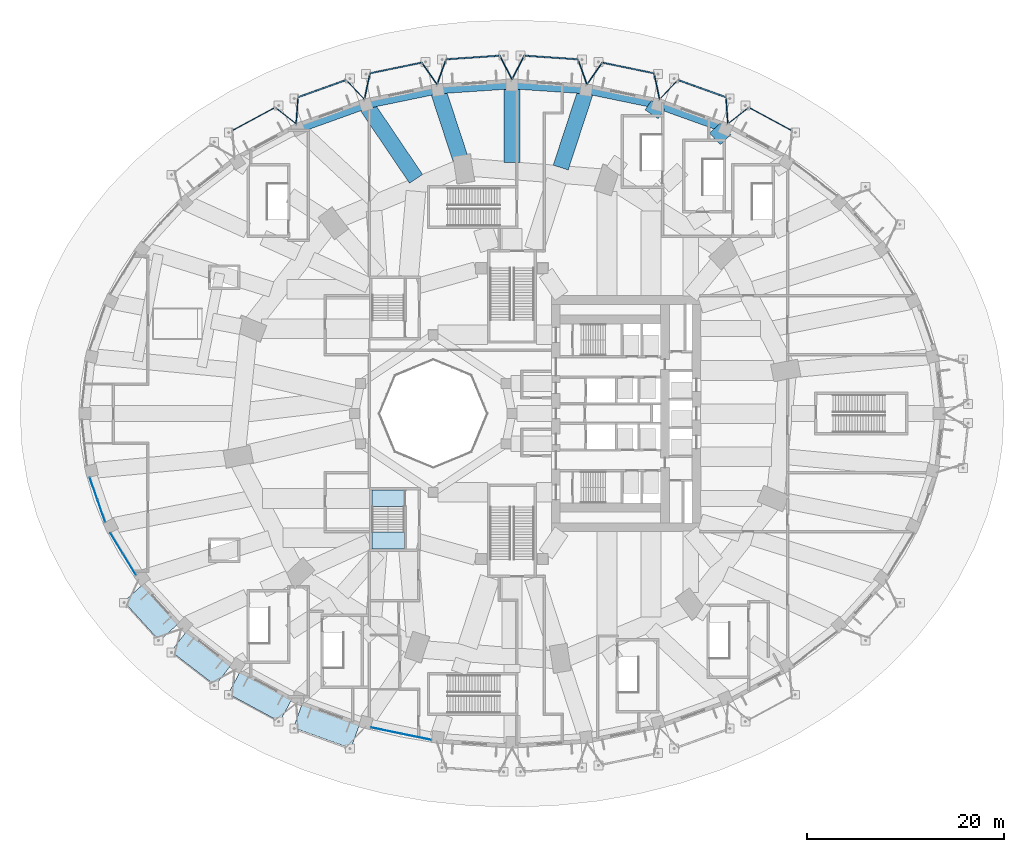
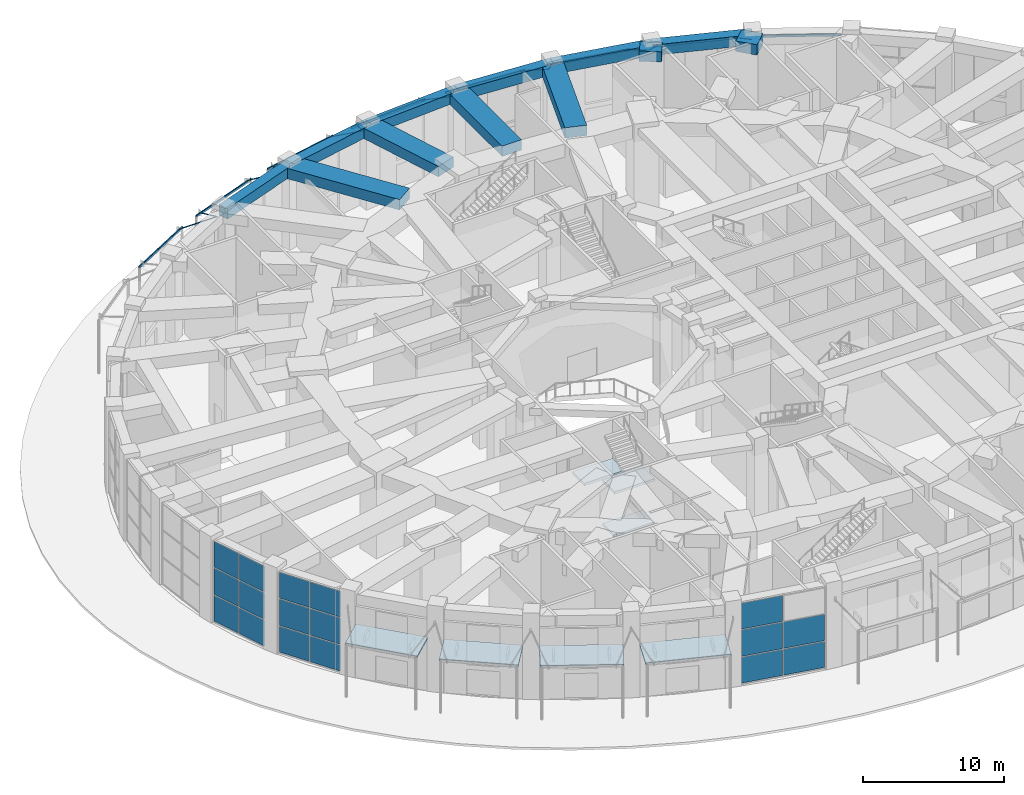
# One storey, part 30 of 60: 20 beams, 17 plates, 14 members, 7 slabs, 4 elements without a shape of their own.
"""IFC4 building model written with IfcOpenShell, lengths in metres."""

from ifc_helpers import new_model, si_unit, direction, frame, origin, origin_2d, place, context, subcontext, project, spatial, polyline, rectangle, hollow_rectangle, hollow_circle, outline, extrude, material, layer, layer_set, constituent, constituent_set, material_profile, profile_set, type_object, element, aggregate, save


model = new_model("IFC4")

# Units and contexts
model_context = context("Model", 3, precision=1e-05, world=origin(), true_north=direction((0.0, 1.0)))
body_context = subcontext(model_context, "Body", "Model", "MODEL_VIEW")
ifc_project = project(units=[si_unit("LENGTHUNIT", "METRE"), si_unit("AREAUNIT", "SQUARE_METRE"), si_unit("VOLUMEUNIT", "CUBIC_METRE"), si_unit("PLANEANGLEUNIT", "RADIAN"), si_unit("MASSUNIT", "GRAM", prefix="KILO")], contexts=[model_context])

# Site, building, storey
site_placement = place(None, origin())
site = spatial("IfcSite", under=ifc_project, at=site_placement, CompositionType="ELEMENT")
building_placement = place(site_placement, origin())
building = spatial("IfcBuilding", under=site, at=building_placement, Name="Taillehof Tower", CompositionType="ELEMENT")
storey_placement = place(building_placement, origin())
storey = spatial("IfcBuildingStorey", under=building, at=storey_placement, Name="L00", CompositionType="ELEMENT", Elevation=0.0)

# Beams
ifc_material_1 = material(Name="Steel S460M", Category="steel")
ifc_material_profile_1 = material_profile(ifc_material_1, hollow_rectangle(XDim=0.10009765625, YDim=0.199951171875, WallThickness=0.008056640625, InnerFilletRadius=0.008056640625, OuterFilletRadius=0.011962890625, at=origin_2d()), Name="RHS 200x100x8")
ifc_profile_set_1 = profile_set([ifc_material_profile_1], Name="Steel S460M")
beam_type_1 = type_object("IfcBeamType", Name="Canopy edge beam RHS 200x100x8", PredefinedType="BEAM", material=ifc_profile_set_1)
beam_1_placement = place(storey_placement, frame((28.798095703125, 28.56396484375, 4.550048828125), z_axis=(-0.880314208322, 0.474391077727, 0.0), x_axis=(-0.474391077727, -0.880314208322, 0.0)))
element("IfcBeam", 1, at=beam_1_placement, inside=storey, type_object=beam_type_1, Name="Canopy edge beam E9", PredefinedType="BEAM", context=body_context, shape_type="SweptSolid", body=[
    extrude(hollow_rectangle(XDim=0.10009765625, YDim=0.199951171875, WallThickness=0.008056640625, InnerFilletRadius=0.008056640625, OuterFilletRadius=0.011962890625, at=origin_2d()), origin(), (0.0, 0.0, 1.0), 5.7978515625),
])
beam_2_placement = place(storey_placement, frame((22.14501953125, 32.00537109375, 4.550048828125), z_axis=(-0.941224990618, 0.33778027923, 0.0), x_axis=(-0.33778027923, -0.941224990618, 0.0)))
element("IfcBeam", 2, at=beam_2_placement, inside=storey, type_object=beam_type_1, Name="Canopy edge beam E10", PredefinedType="BEAM", context=body_context, shape_type="SweptSolid", body=[
    extrude(hollow_rectangle(XDim=0.10009765625, YDim=0.199951171875, WallThickness=0.008056640625, InnerFilletRadius=0.008056640625, OuterFilletRadius=0.011962890625, at=origin_2d()), origin(), (0.0, 0.0, 1.0), 6.03955078125),
])
beam_3_placement = place(storey_placement, frame((14.84912109375, 34.498291015625, 4.550048828125), z_axis=(-0.979385767949, 0.201998805786, 0.0), x_axis=(-0.201998805786, -0.979385767949, 0.0)))
element("IfcBeam", 3, at=beam_3_placement, inside=storey, type_object=beam_type_1, Name="Canopy edge beam E11", PredefinedType="BEAM", context=body_context, shape_type="SweptSolid", body=[
    extrude(hollow_rectangle(XDim=0.10009765625, YDim=0.199951171875, WallThickness=0.008056640625, InnerFilletRadius=0.008056640625, OuterFilletRadius=0.011962890625, at=origin_2d()), origin(), (0.0, 0.0, 1.0), 6.213623046875),
])
for number, where, z_axis, x_axis, name in (
    (4, (7.118408203125, 35.977294921875, 4.550048828125), (-0.997740558403, 0.067184656867, 0.0), (-0.067184656867, -0.997740558403, 0.0), "Canopy edge beam E12"),
    (5, (-0.827880859375, 36.40087890625, 4.550048828125), (-0.997740558403, -0.067184656867, 0.0), (0.067184656867, -0.997740558403, 0.0), "Canopy edge beam E16"),
):
    element("IfcBeam", number, at=place(storey_placement, frame(where, z_axis=z_axis, x_axis=x_axis)), inside=storey, type_object=beam_type_1, Name=name, PredefinedType="BEAM", context=body_context, shape_type="SweptSolid", body=[
        extrude(hollow_rectangle(XDim=0.10009765625, YDim=0.199951171875, WallThickness=0.008056640625, InnerFilletRadius=0.008056640625, OuterFilletRadius=0.011962890625, at=origin_2d()), origin(), (0.0, 0.0, 1.0), 6.3046875),
    ])
beam_4_placement = place(storey_placement, frame((-8.763671875, 35.75341796875, 4.550048828125), z_axis=(-0.979385767949, -0.201998805786, 0.0), x_axis=(0.201998805786, -0.979385767949, 0.0)))
element("IfcBeam", 6, at=beam_4_placement, inside=storey, type_object=beam_type_1, Name="Canopy edge beam E17", PredefinedType="BEAM", context=body_context, shape_type="SweptSolid", body=[
    extrude(hollow_rectangle(XDim=0.10009765625, YDim=0.199951171875, WallThickness=0.008056640625, InnerFilletRadius=0.008056640625, OuterFilletRadius=0.011962890625, at=origin_2d()), origin(), (0.0, 0.0, 1.0), 6.213623046875),
])
beam_5_placement = place(storey_placement, frame((-16.46044921875, 34.04541015625, 4.550048828125), z_axis=(-0.941224990618, -0.33778027923, 0.0), x_axis=(0.33778027923, -0.941224990618, 0.0)))
element("IfcBeam", 7, at=beam_5_placement, inside=storey, type_object=beam_type_1, Name="Canopy edge beam E1", PredefinedType="BEAM", context=body_context, shape_type="SweptSolid", body=[
    extrude(hollow_rectangle(XDim=0.10009765625, YDim=0.199951171875, WallThickness=0.008056640625, InnerFilletRadius=0.008056640625, OuterFilletRadius=0.011962890625, at=origin_2d()), origin(), (0.0, 0.0, 1.0), 6.03955078125),
])
beam_6_placement = place(storey_placement, frame((-23.694091796875, 31.314453125, 4.550048828125), z_axis=(-0.880314208322, -0.474391077727, 0.0), x_axis=(0.474391077727, -0.880314208322, 0.0)))
element("IfcBeam", 8, at=beam_6_placement, inside=storey, type_object=beam_type_1, Name="Canopy edge beam E20", PredefinedType="BEAM", context=body_context, shape_type="SweptSolid", body=[
    extrude(hollow_rectangle(XDim=0.10009765625, YDim=0.199951171875, WallThickness=0.008056640625, InnerFilletRadius=0.008056640625, OuterFilletRadius=0.011962890625, at=origin_2d()), origin(), (0.0, 0.0, 1.0), 5.7978515625),
])

# Members
ifc_material_2 = material(Name="Steel S460M", Category="steel")
ifc_material_profile_2 = material_profile(ifc_material_2, hollow_circle(Radius=0.04443359375, WallThickness=0.0048828125, at=origin_2d()), Name="CHS 89x5")
ifc_profile_set_2 = profile_set([ifc_material_profile_2], Name="Steel S460M")
member_type = type_object("IfcMemberType", Name="Canopy tie CHS 89x5", PredefinedType="BRACE", material=ifc_profile_set_2)
for number, where, z_axis, x_axis, name in (
    (9, (24.063720703125, 31.115234375, 4.639892578125), (-0.703507737819, -0.550977655619, 0.448888054907), (0.61659025801, -0.787284226774, 0.0), "Canopy tie E9"),
    (10, (21.74951171875, 32.147216796875, 4.639892578125), (0.060269732569, -0.89155693967, 0.448880588423), (0.997722884906, 0.067446608035, 0.0), "Canopy tie E10"),
):
    element("IfcMember", number, at=place(storey_placement, frame(where, z_axis=z_axis, x_axis=x_axis)), inside=storey, type_object=member_type, Name=name, PredefinedType="BRACE", context=body_context, shape_type="SweptSolid", body=[
        extrude(hollow_circle(Radius=0.04443359375, WallThickness=0.0048828125, at=origin_2d()), origin(), (0.0, 0.0, 1.0), 3.030029296875),
    ])
member_1_placement = place(storey_placement, frame((16.855712890625, 33.903564453125, 4.639892578125), z_axis=(-0.61316407558, -0.64999098878, 0.448933771199), x_axis=(0.727413186974, -0.686199719773, 0.0)))
element("IfcMember", 11, at=member_1_placement, inside=storey, type_object=member_type, Name="Canopy tie E10", PredefinedType="BRACE", context=body_context, shape_type="SweptSolid", body=[
    extrude(hollow_circle(Radius=0.04443359375, WallThickness=0.0048828125, at=origin_2d()), origin(), (0.0, 0.0, 1.0), 3.029541015625),
])
member_2_placement = place(storey_placement, frame((14.43798828125, 34.5830078125, 4.639892578125), z_axis=(0.18485622128, -0.874239383027, 0.44892502561), x_axis=(0.978367607855, 0.206873932383, 0.0)))
element("IfcMember", 12, at=member_2_placement, inside=storey, type_object=member_type, Name="Canopy tie E11", PredefinedType="BRACE", context=body_context, shape_type="SweptSolid", body=[
    extrude(hollow_circle(Radius=0.04443359375, WallThickness=0.0048828125, at=origin_2d()), origin(), (0.0, 0.0, 1.0), 3.02978515625),
])
for number, where, z_axis, x_axis, name in (
    (13, (9.175048828125, 35.66845703125, 4.639892578125), (-0.515537199417, -0.729827243696, 0.448969475997), (0.816775353421, -0.576955823303, 0.0), "Canopy tie E11"),
    (14, (6.699462890625, 36.00537109375, 4.639892578125), (0.30166245095, -0.841076499631, 0.448987847781), (0.941288035455, 0.337604553153, 0.0), "Canopy tie E12"),
):
    element("IfcMember", number, at=place(storey_placement, frame(where, z_axis=z_axis, x_axis=x_axis)), inside=storey, type_object=member_type, Name=name, PredefinedType="BRACE", context=body_context, shape_type="SweptSolid", body=[
        extrude(hollow_circle(Radius=0.04443359375, WallThickness=0.0048828125, at=origin_2d()), origin(), (0.0, 0.0, 1.0), 3.029296875),
    ])
for number, where, z_axis, x_axis, name in (
    (15, (1.2470703125, 36.37255859375, 4.639892578125), (-0.411650476562, -0.793079941239, 0.44896335257), (0.887560617188, -0.460690949354, 0.0), "Canopy tie E12"),
    (16, (-1.2470703125, 36.37255859375, 4.639892578125), (0.411650476562, -0.793079941239, 0.44896335257), (0.887560617188, 0.460690949354, 0.0), "Canopy tie E16"),
):
    element("IfcMember", number, at=place(storey_placement, frame(where, z_axis=z_axis, x_axis=x_axis)), inside=storey, type_object=member_type, Name=name, PredefinedType="BRACE", context=body_context, shape_type="SweptSolid", body=[
        extrude(hollow_circle(Radius=0.04443359375, WallThickness=0.0048828125, at=origin_2d()), origin(), (0.0, 0.0, 1.0), 3.029541015625),
    ])
for number, where, z_axis, x_axis, name in (
    (17, (-6.699462890625, 36.00537109375, 4.639892578125), (-0.30166245095, -0.841076499631, 0.448987847781), (0.941288035455, -0.337604553153, 0.0), "Canopy tie E16"),
    (18, (-9.175048828125, 35.66845703125, 4.639892578125), (0.515537199417, -0.729827243696, 0.448969475997), (0.816775353421, 0.576955823303, 0.0), "Canopy tie E17"),
):
    element("IfcMember", number, at=place(storey_placement, frame(where, z_axis=z_axis, x_axis=x_axis)), inside=storey, type_object=member_type, Name=name, PredefinedType="BRACE", context=body_context, shape_type="SweptSolid", body=[
        extrude(hollow_circle(Radius=0.04443359375, WallThickness=0.0048828125, at=origin_2d()), origin(), (0.0, 0.0, 1.0), 3.029296875),
    ])
member_3_placement = place(storey_placement, frame((-14.43798828125, 34.5830078125, 4.639892578125), z_axis=(-0.18485622128, -0.874239383027, 0.44892502561), x_axis=(0.978367607855, -0.206873932383, 0.0)))
element("IfcMember", 19, at=member_3_placement, inside=storey, type_object=member_type, Name="Canopy tie E17", PredefinedType="BRACE", context=body_context, shape_type="SweptSolid", body=[
    extrude(hollow_circle(Radius=0.04443359375, WallThickness=0.0048828125, at=origin_2d()), origin(), (0.0, 0.0, 1.0), 3.02978515625),
])
member_4_placement = place(storey_placement, frame((-16.855712890625, 33.903564453125, 4.639892578125), z_axis=(0.61316407558, -0.64999098878, 0.448933771199), x_axis=(0.727413186974, 0.686199719773, 0.0)))
element("IfcMember", 20, at=member_4_placement, inside=storey, type_object=member_type, Name="Canopy tie E1", PredefinedType="BRACE", context=body_context, shape_type="SweptSolid", body=[
    extrude(hollow_circle(Radius=0.04443359375, WallThickness=0.0048828125, at=origin_2d()), origin(), (0.0, 0.0, 1.0), 3.029541015625),
])
for number, where, z_axis, x_axis, name in (
    (21, (-21.74951171875, 32.147216796875, 4.639892578125), (-0.060269732569, -0.89155693967, 0.448880588423), (0.997722884906, -0.067446608035, 0.0), "Canopy tie E1"),
    (22, (-24.063720703125, 31.115234375, 4.639892578125), (0.703507737819, -0.550977655619, 0.448888054907), (0.61659025801, 0.787284226774, 0.0), "Canopy tie E20"),
):
    element("IfcMember", number, at=place(storey_placement, frame(where, z_axis=z_axis, x_axis=x_axis)), inside=storey, type_object=member_type, Name=name, PredefinedType="BRACE", context=body_context, shape_type="SweptSolid", body=[
        extrude(hollow_circle(Radius=0.04443359375, WallThickness=0.0048828125, at=origin_2d()), origin(), (0.0, 0.0, 1.0), 3.030029296875),
    ])

# Beams
ifc_material_3 = material(Name="Concrete C50/60", Category="concrete")
ifc_material_profile_3 = material_profile(ifc_material_3, rectangle(XDim=0.800048828125, YDim=0.89990234375, at=origin_2d()), Name="RC 800x900")
ifc_profile_set_3 = profile_set([ifc_material_profile_3], Name="Concrete C50/60")
beam_type_2 = type_object("IfcBeamType", Name="Podium edge beam C50/60 800x900", PredefinedType="BEAM", material=ifc_profile_set_3)
beam_7_placement = place(storey_placement, frame((21.699951171875, 28.92529296875, 6.639892578125), z_axis=(-0.941227460002, 0.337773398209, 0.0), x_axis=(-0.337773398209, -0.941227460002, 0.0)))
element("IfcBeam", 23, at=beam_7_placement, inside=storey, type_object=beam_type_2, Name="Podium edge beam PB07", PredefinedType="BEAM", context=body_context, shape_type="SweptSolid", body=[
    extrude(rectangle(XDim=0.800048828125, YDim=0.89990234375, at=origin_2d()), origin(), (0.0, 0.0, 1.0), 7.284423828125),
])
beam_8_placement = place(storey_placement, frame((14.84375, 31.3857421875, 6.639892578125), z_axis=(-0.979394077534, 0.201958512797, 0.0), x_axis=(-0.201958512797, -0.979394077534, 0.0)))
element("IfcBeam", 24, at=beam_8_placement, inside=storey, type_object=beam_type_2, Name="Podium edge beam PB08", PredefinedType="BEAM", context=body_context, shape_type="SweptSolid", body=[
    extrude(rectangle(XDim=0.800048828125, YDim=0.89990234375, at=origin_2d()), origin(), (0.0, 0.0, 1.0), 7.461181640625),
])
for number, where, z_axis, x_axis, name in (
    (25, (7.536376953125, 32.892578125, 6.639892578125), (-0.997741900844, 0.067164717676, 0.0), (-0.067164717676, -0.997741900844, 0.0), "Podium edge beam PB09"),
    (26, (0.0, 33.39990234375, 6.639892578125), (-0.997741900844, -0.067164717676, 0.0), (0.067164717676, -0.997741900844, 0.0), "Podium edge beam PB10"),
):
    element("IfcBeam", number, at=place(storey_placement, frame(where, z_axis=z_axis, x_axis=x_axis)), inside=storey, type_object=beam_type_2, Name=name, PredefinedType="BEAM", context=body_context, shape_type="SweptSolid", body=[
        extrude(rectangle(XDim=0.800048828125, YDim=0.89990234375, at=origin_2d()), origin(), (0.0, 0.0, 1.0), 7.553466796875),
    ])
beam_9_placement = place(storey_placement, frame((-7.536376953125, 32.892578125, 6.639892578125), z_axis=(-0.979394077534, -0.201958512797, 0.0), x_axis=(0.201958512797, -0.979394077534, 0.0)))
element("IfcBeam", 27, at=beam_9_placement, inside=storey, type_object=beam_type_2, Name="Podium edge beam PB11", PredefinedType="BEAM", context=body_context, shape_type="SweptSolid", body=[
    extrude(rectangle(XDim=0.800048828125, YDim=0.89990234375, at=origin_2d()), origin(), (0.0, 0.0, 1.0), 7.461181640625),
])
beam_10_placement = place(storey_placement, frame((-14.84375, 31.3857421875, 6.639892578125), z_axis=(-0.941227460002, -0.337773398209, 0.0), x_axis=(0.337773398209, -0.941227460002, 0.0)))
element("IfcBeam", 28, at=beam_10_placement, inside=storey, type_object=beam_type_2, Name="Podium edge beam PB12", PredefinedType="BEAM", context=body_context, shape_type="SweptSolid", body=[
    extrude(rectangle(XDim=0.800048828125, YDim=0.89990234375, at=origin_2d()), origin(), (0.0, 0.0, 1.0), 7.284423828125),
])
ifc_material_4 = material(Name="Concrete C50/60", Category="concrete")
ifc_material_profile_4 = material_profile(ifc_material_4, rectangle(XDim=1.60009765625, YDim=0.89990234375, at=origin_2d()), Name="RC 1600x900")
ifc_profile_set_4 = profile_set([ifc_material_profile_4], Name="Concrete C50/60")
beam_type_3 = type_object("IfcBeamType", Name="Podium radial beam C50/60 1600x900", PredefinedType="BEAM", material=ifc_profile_set_4)
beam_11_placement = place(storey_placement, frame((21.699951171875, 28.92529296875, 6.639892578125), z_axis=(-0.731624766745, -0.681707562438, 0.0), x_axis=(0.681707562438, -0.731624766745, 0.0)))
element("IfcBeam", 29, at=beam_11_placement, inside=storey, type_object=beam_type_3, Name="Podium radial beam PR07", PredefinedType="BEAM", context=body_context, shape_type="SweptSolid", body=[
    extrude(rectangle(XDim=1.60009765625, YDim=0.89990234375, at=origin_2d()), origin(), (0.0, 0.0, 1.0), 1.48193359375),
])
beam_12_placement = place(storey_placement, frame((14.84375, 31.3857421875, 6.639892578125), z_axis=(-0.560359806651, -0.828249290425, 0.0), x_axis=(0.828249290425, -0.560359806651, 0.0)))
element("IfcBeam", 30, at=beam_12_placement, inside=storey, type_object=beam_type_3, Name="Podium radial beam PR08", PredefinedType="BEAM", context=body_context, shape_type="SweptSolid", body=[
    extrude(rectangle(XDim=1.60009765625, YDim=0.89990234375, at=origin_2d()), origin(), (0.0, 0.0, 1.0), 1.171875),
])
beam_13_placement = place(storey_placement, frame((7.536376953125, 32.892578125, 6.639892578125), z_axis=(-0.311468393355, -0.950256512706, 0.0), x_axis=(0.950256512706, -0.311468393355, 0.0)))
element("IfcBeam", 31, at=beam_13_placement, inside=storey, type_object=beam_type_3, Name="Podium radial beam PR09", PredefinedType="BEAM", context=body_context, shape_type="SweptSolid", body=[
    extrude(rectangle(XDim=1.60009765625, YDim=0.89990234375, at=origin_2d()), origin(), (0.0, 0.0, 1.0), 8.301513671875),
])
beam_14_placement = place(storey_placement, frame((0.0, 33.39990234375, 6.639892578125), z_axis=(0.0, -1.0, 0.0), x_axis=(1.0, 0.0, 0.0)))
element("IfcBeam", 32, at=beam_14_placement, inside=storey, type_object=beam_type_3, Name="Podium radial beam PR10", PredefinedType="BEAM", context=body_context, shape_type="SweptSolid", body=[
    extrude(rectangle(XDim=1.60009765625, YDim=0.89990234375, at=origin_2d()), origin(), (0.0, 0.0, 1.0), 7.878173828125),
])
beam_15_placement = place(storey_placement, frame((-7.536376953125, 32.892578125, 6.639892578125), z_axis=(0.311469218388, -0.950256242283, 0.0), x_axis=(0.950256242283, 0.311469218388, 0.0)))
element("IfcBeam", 33, at=beam_15_placement, inside=storey, type_object=beam_type_3, Name="Podium radial beam PR11", PredefinedType="BEAM", context=body_context, shape_type="SweptSolid", body=[
    extrude(rectangle(XDim=1.60009765625, YDim=0.89990234375, at=origin_2d()), origin(), (0.0, 0.0, 1.0), 7.40966796875),
])
beam_16_placement = place(storey_placement, frame((-14.84375, 31.3857421875, 6.639892578125), z_axis=(0.56038581489, -0.828231693712, 0.0), x_axis=(0.828231693712, 0.56038581489, 0.0)))
element("IfcBeam", 34, at=beam_16_placement, inside=storey, type_object=beam_type_3, Name="Podium radial beam PR12", PredefinedType="BEAM", context=body_context, shape_type="SweptSolid", body=[
    extrude(rectangle(XDim=1.60009765625, YDim=0.89990234375, at=origin_2d()), origin(), (0.0, 0.0, 1.0), 9.085693359375),
])

# Slabs
ifc_material_5 = material(Name="Steel S460M", Category="steel")
ifc_constituent_1 = constituent(ifc_material_5, Name="Plate", Category="steel")
ifc_material_6 = material(Name="Aluminium soffit", Category="aluminium")
ifc_constituent_2 = constituent(ifc_material_6, Name="Soffit", Category="aluminium")
ifc_constituent_set = constituent_set(constituents=[ifc_constituent_1, ifc_constituent_2], Name="Entrance canopy 150")
slab_type_1 = type_object("IfcSlabType", Name="Entrance canopy 150", PredefinedType="ROOF", material=ifc_constituent_set)
slab_1_placement = place(storey_placement, frame((0.0, 0.0, 4.449951171875)))
element("IfcSlab", 35, at=slab_1_placement, inside=storey, type_object=slab_type_1, Name="Canopy over E3", PredefinedType="ROOF", context=body_context, shape_type="SweptSolid", body=[
    extrude(outline(polyline([(-37.59375, -17.429931640625), (-33.975830078125, -21.40673828125), (-35.8251953125, -23.089111328125), (-39.443115234375, -19.1123046875), (-37.59375, -17.429931640625)])), origin(), (0.0, 0.0, 1.0), 0.150146484375),
])
slab_2_placement = place(storey_placement, frame((0.0, 0.0, 4.449951171875)))
element("IfcSlab", 36, at=slab_2_placement, inside=storey, type_object=slab_type_1, Name="Canopy over E4", PredefinedType="ROOF", context=body_context, shape_type="SweptSolid", body=[
    extrude(outline(polyline([(-33.124267578125, -22.191162109375), (-28.62841796875, -25.6513671875), (-30.1533203125, -27.632568359375), (-34.64892578125, -24.172119140625), (-33.124267578125, -22.191162109375)])), origin(), (0.0, 0.0, 1.0), 0.150146484375),
])
slab_3_placement = place(storey_placement, frame((0.0, 0.0, 4.449951171875)))
element("IfcSlab", 37, at=slab_3_placement, inside=storey, type_object=slab_type_1, Name="Canopy over E21", PredefinedType="ROOF", context=body_context, shape_type="SweptSolid", body=[
    extrude(outline(polyline([(-27.658203125, -26.2802734375), (-22.413330078125, -29.10693359375), (-23.599609375, -31.3076171875), (-28.84423828125, -28.481201171875), (-27.658203125, -26.2802734375)])), origin(), (0.0, 0.0, 1.0), 0.150146484375),
])
slab_4_placement = place(storey_placement, frame((0.0, 0.0, 4.449951171875)))
element("IfcSlab", 38, at=slab_4_placement, inside=storey, type_object=slab_type_1, Name="Canopy over E15", PredefinedType="ROOF", context=body_context, shape_type="SweptSolid", body=[
    extrude(outline(polyline([(-21.3583984375, -29.577392578125), (-15.5234375, -31.67138671875), (-16.367919921875, -34.0244140625), (-22.202880859375, -31.930419921875), (-21.3583984375, -29.577392578125)])), origin(), (0.0, 0.0, 1.0), 0.150146484375),
])

# Stair, slabs
ifc_material_7 = material(Name="Concrete C40/50", Category="concrete")
stair_type = type_object("IfcStairType", Name="Exit stair half-turn", PredefinedType="HALF_TURN_STAIR", material=ifc_material_7)
stair_placement = place(storey_placement, origin())
stair = element("IfcStair", 39, at=stair_placement, inside=storey, type_object=stair_type, Name="Exit stair S4", PredefinedType="HALF_TURN_STAIR")
ifc_material_8 = material(Name="Concrete C40/50", Category="concrete")
ifc_layer_1 = layer(ifc_material_8, 0.2099609375)
ifc_layer_set_1 = layer_set([ifc_layer_1], Name="Stair landing C40/50 210")
slab_type_2 = type_object("IfcSlabType", Name="Stair landing C40/50 210", PredefinedType="LANDING", material=ifc_layer_set_1)
slab_5_placement = place(storey_placement, frame((0.0, 0.0, 1.6650390625)))
slab_5 = element("IfcSlab", 40, at=slab_5_placement, type_object=slab_type_2, Name="S4 landing 1", PredefinedType="LANDING", context=body_context, shape_type="SweptSolid", body=[
    extrude(outline(polyline([(-14.25, -12.050048828125), (-14.25, -13.75), (-10.949951171875, -13.75), (-10.949951171875, -12.050048828125), (-14.25, -12.050048828125)])), origin(), (0.0, 0.0, 1.0), 0.2099609375),
])
slab_6_placement = place(storey_placement, frame((0.0, 0.0, 3.5400390625)))
slab_6 = element("IfcSlab", 41, at=slab_6_placement, type_object=slab_type_2, Name="S4 landing 2", PredefinedType="LANDING", context=body_context, shape_type="SweptSolid", body=[
    extrude(outline(polyline([(-14.25, -7.75), (-14.25, -9.449951171875), (-10.949951171875, -9.449951171875), (-10.949951171875, -7.75), (-14.25, -7.75)])), origin(), (0.0, 0.0, 1.0), 0.2099609375),
])
slab_7_placement = place(storey_placement, frame((0.0, 0.0, 5.4150390625)))
slab_7 = element("IfcSlab", 42, at=slab_7_placement, type_object=slab_type_2, Name="S4 landing 3", PredefinedType="LANDING", context=body_context, shape_type="SweptSolid", body=[
    extrude(outline(polyline([(-14.25, -12.050048828125), (-14.25, -13.75), (-10.949951171875, -13.75), (-10.949951171875, -12.050048828125), (-14.25, -12.050048828125)])), origin(), (0.0, 0.0, 1.0), 0.2099609375),
])
aggregate(stair, [slab_5, slab_6, slab_7])

# Curtain wall, plates
ifc_material_9 = material(Name="Aluminium curtain wall with Clear laminated safety glass", Category="aluminium")
curtain_wall_type = type_object("IfcCurtainWallType", Name="Station storefront curtain wall", PredefinedType="USERDEFINED", material=ifc_material_9)
curtain_wall_1_placement = place(storey_placement, origin())
curtain_wall_1 = element("IfcCurtainWall", 43, at=curtain_wall_1_placement, inside=storey, type_object=curtain_wall_type, Name="Station storefront L00 bay 20", ObjectType="STOREFRONT", PredefinedType="USERDEFINED")
ifc_material_10 = material(Name="Clear laminated safety glass", Category="glass")
ifc_layer_2 = layer(ifc_material_10, 0.031982421875)
ifc_layer_set_2 = layer_set([ifc_layer_2], Name="Station storefront glass panel 32")
plate_type = type_object("IfcPlateType", Name="Station storefront glass panel 32", PredefinedType="CURTAIN_PANEL", material=ifc_layer_set_2)
plate_1_placement = place(storey_placement, frame((-42.531982421875, -7.604736328125, 0.080078125), z_axis=(0.0, 0.0, 1.0), x_axis=(0.328757610934, -0.944414333464, 0.0)))
plate_1 = element("IfcPlate", 44, at=plate_1_placement, type_object=plate_type, Name="CT120 panel 1.1", PredefinedType="CURTAIN_PANEL", context=body_context, shape_type="SweptSolid", body=[
    extrude(rectangle(XDim=2.326904296875, YDim=0.031982421875, at=origin_2d()), origin(), (0.0, 0.0, 1.0), 2.243408203125),
])
plate_2_placement = place(storey_placement, frame((-42.531982421875, -7.604736328125, 2.4033203125), z_axis=(0.0, 0.0, 1.0), x_axis=(0.328757610934, -0.944414333464, 0.0)))
plate_2 = element("IfcPlate", 45, at=plate_2_placement, type_object=plate_type, Name="CT120 panel 1.2", PredefinedType="CURTAIN_PANEL", context=body_context, shape_type="SweptSolid", body=[
    extrude(rectangle(XDim=2.326904296875, YDim=0.031982421875, at=origin_2d()), origin(), (0.0, 0.0, 1.0), 2.283447265625),
])
plate_3_placement = place(storey_placement, frame((-42.531982421875, -7.604736328125, 4.7666015625), z_axis=(0.0, 0.0, 1.0), x_axis=(0.328757610934, -0.944414333464, 0.0)))
plate_3 = element("IfcPlate", 46, at=plate_3_placement, type_object=plate_type, Name="CT120 panel 1.3", PredefinedType="CURTAIN_PANEL", context=body_context, shape_type="SweptSolid", body=[
    extrude(rectangle(XDim=2.326904296875, YDim=0.031982421875, at=origin_2d()), origin(), (0.0, 0.0, 1.0), 2.243408203125),
])
plate_4_placement = place(storey_placement, frame((-41.74072265625, -9.877685546875, 0.080078125), z_axis=(0.0, 0.0, 1.0), x_axis=(0.328757610934, -0.944414333464, 0.0)))
plate_4 = element("IfcPlate", 47, at=plate_4_placement, type_object=plate_type, Name="CT120 panel 2.1", PredefinedType="CURTAIN_PANEL", context=body_context, shape_type="SweptSolid", body=[
    extrude(rectangle(XDim=2.326904296875, YDim=0.031982421875, at=origin_2d()), origin(), (0.0, 0.0, 1.0), 2.243408203125),
])
plate_5_placement = place(storey_placement, frame((-41.74072265625, -9.877685546875, 2.4033203125), z_axis=(0.0, 0.0, 1.0), x_axis=(0.328757610934, -0.944414333464, 0.0)))
plate_5 = element("IfcPlate", 48, at=plate_5_placement, type_object=plate_type, Name="CT120 panel 2.2", PredefinedType="CURTAIN_PANEL", context=body_context, shape_type="SweptSolid", body=[
    extrude(rectangle(XDim=2.326904296875, YDim=0.031982421875, at=origin_2d()), origin(), (0.0, 0.0, 1.0), 2.283447265625),
])
plate_6_placement = place(storey_placement, frame((-41.74072265625, -9.877685546875, 4.7666015625), z_axis=(0.0, 0.0, 1.0), x_axis=(0.328757610934, -0.944414333464, 0.0)))
plate_6 = element("IfcPlate", 49, at=plate_6_placement, type_object=plate_type, Name="CT120 panel 2.3", PredefinedType="CURTAIN_PANEL", context=body_context, shape_type="SweptSolid", body=[
    extrude(rectangle(XDim=2.326904296875, YDim=0.031982421875, at=origin_2d()), origin(), (0.0, 0.0, 1.0), 2.243408203125),
])
aggregate(curtain_wall_1, [plate_1, plate_2, plate_3, plate_4, plate_5, plate_6])

curtain_wall_2_placement = place(storey_placement, origin())
curtain_wall_2 = element("IfcCurtainWall", 50, at=curtain_wall_2_placement, inside=storey, type_object=curtain_wall_type, Name="Station storefront L00 bay 21", ObjectType="STOREFRONT", PredefinedType="USERDEFINED")
plate_7_placement = place(storey_placement, frame((-40.175048828125, -13.192138671875, 0.080078125), z_axis=(0.0, 0.0, 1.0), x_axis=(0.518151483931, -0.855288863309, 0.0)))
plate_7 = element("IfcPlate", 51, at=plate_7_placement, type_object=plate_type, Name="CT121 panel 1.1", PredefinedType="CURTAIN_PANEL", context=body_context, shape_type="SweptSolid", body=[
    extrude(rectangle(XDim=2.431884765625, YDim=0.031982421875, at=origin_2d()), origin(), (0.0, 0.0, 1.0), 2.243408203125),
])
plate_8_placement = place(storey_placement, frame((-40.175048828125, -13.192138671875, 2.4033203125), z_axis=(0.0, 0.0, 1.0), x_axis=(0.518151483931, -0.855288863309, 0.0)))
plate_8 = element("IfcPlate", 52, at=plate_8_placement, type_object=plate_type, Name="CT121 panel 1.2", PredefinedType="CURTAIN_PANEL", context=body_context, shape_type="SweptSolid", body=[
    extrude(rectangle(XDim=2.431884765625, YDim=0.031982421875, at=origin_2d()), origin(), (0.0, 0.0, 1.0), 2.283447265625),
])
plate_9_placement = place(storey_placement, frame((-40.175048828125, -13.192138671875, 4.7666015625), z_axis=(0.0, 0.0, 1.0), x_axis=(0.518151483931, -0.855288863309, 0.0)))
plate_9 = element("IfcPlate", 53, at=plate_9_placement, type_object=plate_type, Name="CT121 panel 1.3", PredefinedType="CURTAIN_PANEL", context=body_context, shape_type="SweptSolid", body=[
    extrude(rectangle(XDim=2.431884765625, YDim=0.031982421875, at=origin_2d()), origin(), (0.0, 0.0, 1.0), 2.243408203125),
])
plate_10_placement = place(storey_placement, frame((-38.87353515625, -15.340576171875, 0.080078125), z_axis=(0.0, 0.0, 1.0), x_axis=(0.518151483931, -0.855288863309, 0.0)))
plate_10 = element("IfcPlate", 54, at=plate_10_placement, type_object=plate_type, Name="CT121 panel 2.1", PredefinedType="CURTAIN_PANEL", context=body_context, shape_type="SweptSolid", body=[
    extrude(rectangle(XDim=2.431884765625, YDim=0.031982421875, at=origin_2d()), origin(), (0.0, 0.0, 1.0), 2.243408203125),
])
plate_11_placement = place(storey_placement, frame((-38.87353515625, -15.340576171875, 2.4033203125), z_axis=(0.0, 0.0, 1.0), x_axis=(0.518151483931, -0.855288863309, 0.0)))
plate_11 = element("IfcPlate", 55, at=plate_11_placement, type_object=plate_type, Name="CT121 panel 2.2", PredefinedType="CURTAIN_PANEL", context=body_context, shape_type="SweptSolid", body=[
    extrude(rectangle(XDim=2.431884765625, YDim=0.031982421875, at=origin_2d()), origin(), (0.0, 0.0, 1.0), 2.283447265625),
])
plate_12_placement = place(storey_placement, frame((-38.87353515625, -15.340576171875, 4.7666015625), z_axis=(0.0, 0.0, 1.0), x_axis=(0.518151483931, -0.855288863309, 0.0)))
plate_12 = element("IfcPlate", 56, at=plate_12_placement, type_object=plate_type, Name="CT121 panel 2.3", PredefinedType="CURTAIN_PANEL", context=body_context, shape_type="SweptSolid", body=[
    extrude(rectangle(XDim=2.431884765625, YDim=0.031982421875, at=origin_2d()), origin(), (0.0, 0.0, 1.0), 2.243408203125),
])
aggregate(curtain_wall_2, [plate_7, plate_8, plate_9, plate_10, plate_11, plate_12])

curtain_wall_3_placement = place(storey_placement, origin())
curtain_wall_3 = element("IfcCurtainWall", 57, at=curtain_wall_3_placement, inside=storey, type_object=curtain_wall_type, Name="Station storefront L00 bay 26", ObjectType="STOREFRONT", PredefinedType="USERDEFINED")
plate_13_placement = place(storey_placement, frame((-12.81201171875, -32.211669921875, 0.080078125), z_axis=(0.0, 0.0, 1.0), x_axis=(0.97939047099, -0.201976001877, 0.0)))
plate_13 = element("IfcPlate", 58, at=plate_13_placement, type_object=plate_type, Name="CT126 panel 1.1", PredefinedType="CURTAIN_PANEL", context=body_context, shape_type="SweptSolid", body=[
    extrude(rectangle(XDim=3.06689453125, YDim=0.031982421875, at=origin_2d()), origin(), (0.0, 0.0, 1.0), 2.243408203125),
])
plate_14_placement = place(storey_placement, frame((-12.81201171875, -32.211669921875, 2.4033203125), z_axis=(0.0, 0.0, 1.0), x_axis=(0.97939047099, -0.201976001877, 0.0)))
plate_14 = element("IfcPlate", 59, at=plate_14_placement, type_object=plate_type, Name="CT126 panel 1.2", PredefinedType="CURTAIN_PANEL", context=body_context, shape_type="SweptSolid", body=[
    extrude(rectangle(XDim=3.06689453125, YDim=0.031982421875, at=origin_2d()), origin(), (0.0, 0.0, 1.0), 2.283447265625),
])
plate_15_placement = place(storey_placement, frame((-12.81201171875, -32.211669921875, 4.7666015625), z_axis=(0.0, 0.0, 1.0), x_axis=(0.97939047099, -0.201976001877, 0.0)))
plate_15 = element("IfcPlate", 60, at=plate_15_placement, type_object=plate_type, Name="CT126 panel 1.3", PredefinedType="CURTAIN_PANEL", context=body_context, shape_type="SweptSolid", body=[
    extrude(rectangle(XDim=3.06689453125, YDim=0.031982421875, at=origin_2d()), origin(), (0.0, 0.0, 1.0), 2.243408203125),
])
plate_16_placement = place(storey_placement, frame((-9.72998046875, -32.84716796875, 0.080078125), z_axis=(0.0, 0.0, 1.0), x_axis=(0.97939047099, -0.201976001877, 0.0)))
plate_16 = element("IfcPlate", 61, at=plate_16_placement, type_object=plate_type, Name="CT126 panel 2.1", PredefinedType="CURTAIN_PANEL", context=body_context, shape_type="SweptSolid", body=[
    extrude(rectangle(XDim=3.06689453125, YDim=0.031982421875, at=origin_2d()), origin(), (0.0, 0.0, 1.0), 2.243408203125),
])
plate_17_placement = place(storey_placement, frame((-9.72998046875, -32.84716796875, 2.4033203125), z_axis=(0.0, 0.0, 1.0), x_axis=(0.97939047099, -0.201976001877, 0.0)))
plate_17 = element("IfcPlate", 62, at=plate_17_placement, type_object=plate_type, Name="CT126 panel 2.2", PredefinedType="CURTAIN_PANEL", context=body_context, shape_type="SweptSolid", body=[
    extrude(rectangle(XDim=3.06689453125, YDim=0.031982421875, at=origin_2d()), origin(), (0.0, 0.0, 1.0), 2.283447265625),
])
aggregate(curtain_wall_3, [plate_13, plate_14, plate_15, plate_16, plate_17])

save(model, "model.ifc")
